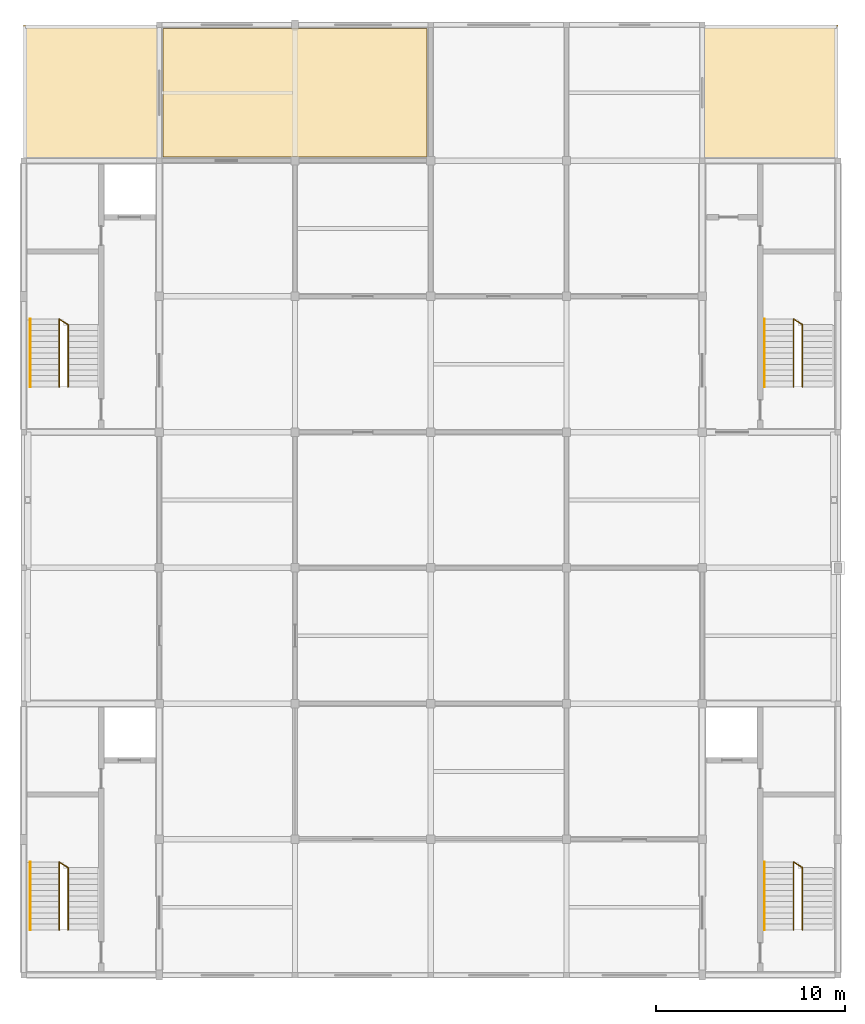
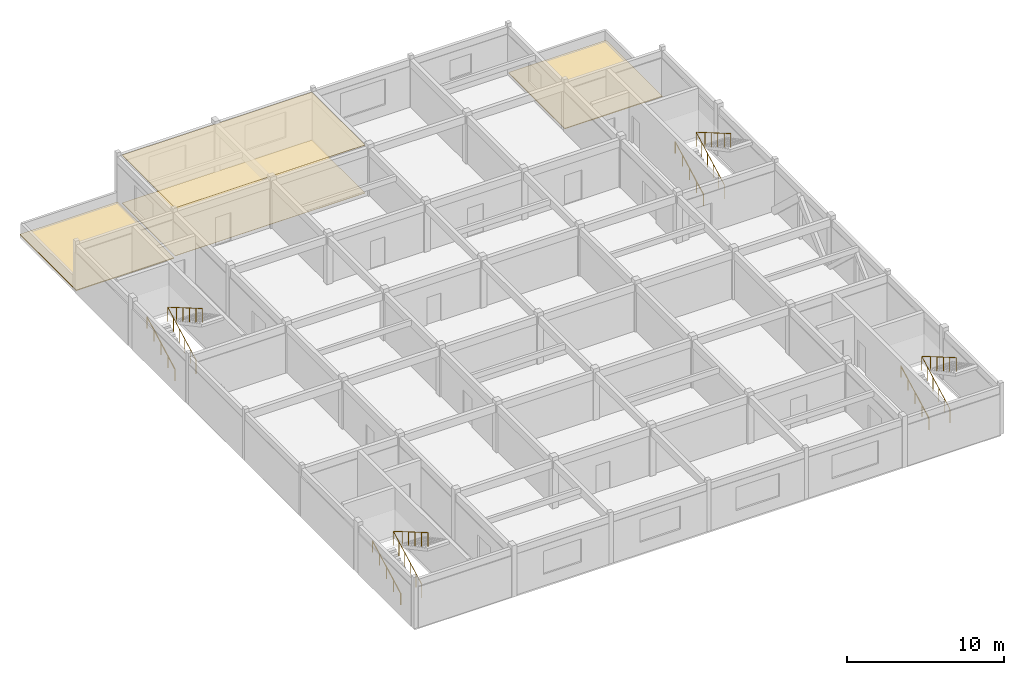
# One storey, part 6 of 6: 8 railings, 4 coverings.
"""IFC4 building model written with IfcOpenShell, lengths in metres."""

from ifc_helpers import new_model, si_unit, direction, frame, origin, origin_2d, place, context, subcontext, project, spatial, polyline, circle, outline, extrude, material, layer, layer_set, type_object, element, save


model = new_model("IFC4")

# Units and contexts
model_context = context("Model", 3, precision=1e-05, world=origin(), true_north=direction((0.0, 1.0)))
body_context = subcontext(model_context, "Body", "Model", "MODEL_VIEW")
ifc_project = project(units=[si_unit("LENGTHUNIT", "METRE"), si_unit("AREAUNIT", "SQUARE_METRE"), si_unit("VOLUMEUNIT", "CUBIC_METRE"), si_unit("PLANEANGLEUNIT", "RADIAN"), si_unit("MASSUNIT", "GRAM", prefix="KILO")], contexts=[model_context])

# Site, building, storey
site_placement = place(None, origin())
site = spatial("IfcSite", under=ifc_project, at=site_placement, CompositionType="ELEMENT")
building_placement = place(site_placement, origin())
building = spatial("IfcBuilding", under=site, at=building_placement, Name="Cendaluz Park School", CompositionType="ELEMENT")
storey_placement = place(building_placement, frame((0.0, 0.0, 59.0)))
storey = spatial("IfcBuildingStorey", under=building, at=storey_placement, Name="L14", CompositionType="ELEMENT", Elevation=59.0)

# Coverings
ifc_material_1 = material(Name="Mineral Fibre Acoustic Tile")
ifc_layer_1 = layer(ifc_material_1, 0.030029296875)
ifc_layer_set_1 = layer_set([ifc_layer_1], Name="Mineral Fibre Acoustic Tile")
covering_type_1 = type_object("IfcCoveringType", Name="CV-CLG01", PredefinedType="CEILING", material=ifc_layer_set_1)
covering_1_placement = place(storey_placement, frame((0.0, 0.0, 3.72998046875)))
element("IfcCovering", 1, at=covering_1_placement, inside=storey, type_object=covering_type_1, Name="CV-CLG-L14-01", PredefinedType="CEILING", context=body_context, shape_type="SweptSolid", body=[
    extrude(outline(polyline([(72.199951171875, 57.800048828125), (86.199951171875, 57.800048828125), (86.199951171875, 64.60009765625), (72.199951171875, 64.60009765625), (72.199951171875, 57.800048828125)])), origin(), (0.0, 0.0, 1.0), 0.030029296875),
])
ifc_material_2 = material(Name="Polished Terrazzo Tile")
ifc_layer_2 = layer(ifc_material_2, 0.02001953125)
ifc_layer_set_2 = layer_set([ifc_layer_2], Name="Polished Terrazzo Tile")
covering_type_2 = type_object("IfcCoveringType", Name="CV-FLR01", PredefinedType="FLOORING", material=ifc_layer_set_2)
covering_2_placement = place(storey_placement, origin())
element("IfcCovering", 2, at=covering_2_placement, inside=storey, type_object=covering_type_2, Name="CV-FLR-L14-01", PredefinedType="FLOORING", context=body_context, shape_type="SweptSolid", body=[
    extrude(outline(polyline([(72.199951171875, 57.800048828125), (86.199951171875, 57.800048828125), (86.199951171875, 64.60009765625), (72.199951171875, 64.60009765625), (72.199951171875, 57.800048828125)])), origin(), (0.0, 0.0, 1.0), 0.02001953125),
])
ifc_material_3 = material(Name="EPDM Roofing Membrane")
ifc_layer_3 = layer(ifc_material_3, 0.06005859375)
ifc_layer_set_3 = layer_set([ifc_layer_3], Name="EPDM Roofing Membrane")
covering_type_3 = type_object("IfcCoveringType", Name="CV-RF01", PredefinedType="ROOFING", material=ifc_layer_set_3)
covering_3_placement = place(storey_placement, origin())
element("IfcCovering", 3, at=covering_3_placement, inside=storey, type_object=covering_type_3, Name="CV-RF-L13-02", PredefinedType="ROOFING", context=body_context, shape_type="SweptSolid", body=[
    extrude(outline(polyline([(64.800048828125, 57.60009765625), (64.800048828125, 64.800048828125), (72.0, 64.800048828125), (72.0, 57.60009765625), (64.800048828125, 57.60009765625)])), origin(), (0.0, 0.0, 1.0), 0.06005859375),
])
covering_4_placement = place(storey_placement, origin())
element("IfcCovering", 4, at=covering_4_placement, inside=storey, type_object=covering_type_3, Name="CV-RF-L13-03", PredefinedType="ROOFING", context=body_context, shape_type="SweptSolid", body=[
    extrude(outline(polyline([(100.800048828125, 57.60009765625), (100.800048828125, 64.800048828125), (108.0, 64.800048828125), (108.0, 57.60009765625), (100.800048828125, 57.60009765625)])), origin(), (0.0, 0.0, 1.0), 0.06005859375),
])

# Railings
ifc_material_4 = material(Name="Wrought Iron")
railing_type_1 = type_object("IfcRailingType", Name="GR-ST01", PredefinedType="BALUSTRADE", material=ifc_material_4)
railing_1_placement = place(storey_placement, frame((66.68994140625, 16.800048828125, 0.159912109375)))
element("IfcRailing", 5, at=railing_1_placement, inside=storey, type_object=railing_type_1, Name="GR-ST-031", PredefinedType="BALUSTRADE", context=body_context, shape_type="SweptSolid", body=[
    extrude(circle(Radius=0.02392578125, at=origin_2d()), frame((0.0, 0.0, 1.076171875), z_axis=(0.0, 0.882328093246, 0.470634822203), x_axis=(-1.0, 0.0, 0.0)), (0.0, 0.0, 1.0), 4.079833984375),
    extrude(circle(Radius=0.02392578125, at=origin_2d()), frame((0.0, 3.599853515625, 2.99609375), z_axis=(0.843065864119, -0.537810327864, 0.0), x_axis=(0.537810327864, 0.843065864119, 0.0)), (0.0, 0.0, 1.0), 0.557373046875),
    extrude(circle(Radius=0.02392578125, at=origin_2d()), frame((0.469970703125, 3.300048828125, 2.99609375), z_axis=(0.0, -0.864360466543, 0.502872731293), x_axis=(1.0, 0.0, 0.0)), (0.0, 0.0, 1.0), 3.81787109375),
    extrude(circle(Radius=0.02099609375, at=origin_2d()), origin(), (0.0, 0.0, 1.0), 1.052001953125),
    extrude(circle(Radius=0.02099609375, at=origin_2d()), frame((0.0, 0.719970703125, 0.384033203125)), (0.0, 0.0, 1.0), 1.052001953125),
    extrude(circle(Radius=0.02099609375, at=origin_2d()), frame((0.0, 1.43994140625, 0.76806640625)), (0.0, 0.0, 1.0), 1.052001953125),
    extrude(circle(Radius=0.02099609375, at=origin_2d()), frame((0.0, 2.159912109375, 1.152099609375)), (0.0, 0.0, 1.0), 1.052001953125),
    extrude(circle(Radius=0.02099609375, at=origin_2d()), frame((0.0, 2.8798828125, 1.5361328125)), (0.0, 0.0, 1.0), 1.052001953125),
    extrude(circle(Radius=0.02099609375, at=origin_2d()), frame((0.0, 3.599853515625, 1.920166015625)), (0.0, 0.0, 1.0), 1.052001953125),
    extrude(circle(Radius=0.02099609375, at=origin_2d()), frame((0.469970703125, 3.300048828125, 1.920166015625)), (0.0, 0.0, 1.0), 1.052001953125),
    extrude(circle(Radius=0.02099609375, at=origin_2d()), frame((0.469970703125, 2.47509765625, 2.400146484375)), (0.0, 0.0, 1.0), 1.052001953125),
    extrude(circle(Radius=0.02099609375, at=origin_2d()), frame((0.469970703125, 1.64990234375, 2.880126953125)), (0.0, 0.0, 1.0), 1.052001953125),
    extrude(circle(Radius=0.02099609375, at=origin_2d()), frame((0.469970703125, 0.824951171875, 3.360107421875)), (0.0, 0.0, 1.0), 1.052001953125),
    extrude(circle(Radius=0.02099609375, at=origin_2d()), frame((0.469970703125, 0.0, 3.840087890625)), (0.0, 0.0, 1.0), 1.052001953125),
])
railing_2_placement = place(storey_placement, frame((105.639892578125, 16.800048828125, 0.159912109375)))
element("IfcRailing", 6, at=railing_2_placement, inside=storey, type_object=railing_type_1, Name="GR-ST-066", PredefinedType="BALUSTRADE", context=body_context, shape_type="SweptSolid", body=[
    extrude(circle(Radius=0.02392578125, at=origin_2d()), frame((0.0, 0.0, 1.076171875), z_axis=(0.0, 0.882328093246, 0.470634822203), x_axis=(-1.0, 0.0, 0.0)), (0.0, 0.0, 1.0), 4.079833984375),
    extrude(circle(Radius=0.02392578125, at=origin_2d()), frame((0.0, 3.599853515625, 2.99609375), z_axis=(0.843192468449, -0.537611812697, 0.0), x_axis=(0.537611812697, 0.843192468449, 0.0)), (0.0, 0.0, 1.0), 0.5576171875),
    extrude(circle(Radius=0.02392578125, at=origin_2d()), frame((0.47021484375, 3.300048828125, 2.99609375), z_axis=(0.0, -0.864360466543, 0.502872731293), x_axis=(1.0, 0.0, 0.0)), (0.0, 0.0, 1.0), 3.81787109375),
    extrude(circle(Radius=0.02099609375, at=origin_2d()), origin(), (0.0, 0.0, 1.0), 1.052001953125),
    extrude(circle(Radius=0.02099609375, at=origin_2d()), frame((0.0, 0.719970703125, 0.384033203125)), (0.0, 0.0, 1.0), 1.052001953125),
    extrude(circle(Radius=0.02099609375, at=origin_2d()), frame((0.0, 1.43994140625, 0.76806640625)), (0.0, 0.0, 1.0), 1.052001953125),
    extrude(circle(Radius=0.02099609375, at=origin_2d()), frame((0.0, 2.159912109375, 1.152099609375)), (0.0, 0.0, 1.0), 1.052001953125),
    extrude(circle(Radius=0.02099609375, at=origin_2d()), frame((0.0, 2.8798828125, 1.5361328125)), (0.0, 0.0, 1.0), 1.052001953125),
    extrude(circle(Radius=0.02099609375, at=origin_2d()), frame((0.0, 3.599853515625, 1.920166015625)), (0.0, 0.0, 1.0), 1.052001953125),
    extrude(circle(Radius=0.02099609375, at=origin_2d()), frame((0.47021484375, 3.300048828125, 1.920166015625)), (0.0, 0.0, 1.0), 1.052001953125),
    extrude(circle(Radius=0.02099609375, at=origin_2d()), frame((0.47021484375, 2.47509765625, 2.400146484375)), (0.0, 0.0, 1.0), 1.052001953125),
    extrude(circle(Radius=0.02099609375, at=origin_2d()), frame((0.47021484375, 1.64990234375, 2.880126953125)), (0.0, 0.0, 1.0), 1.052001953125),
    extrude(circle(Radius=0.02099609375, at=origin_2d()), frame((0.47021484375, 0.824951171875, 3.360107421875)), (0.0, 0.0, 1.0), 1.052001953125),
    extrude(circle(Radius=0.02099609375, at=origin_2d()), frame((0.47021484375, 0.0, 3.840087890625)), (0.0, 0.0, 1.0), 1.052001953125),
])
railing_3_placement = place(storey_placement, frame((66.68994140625, 45.60009765625, 0.159912109375)))
element("IfcRailing", 7, at=railing_3_placement, inside=storey, type_object=railing_type_1, Name="GR-ST-101", PredefinedType="BALUSTRADE", context=body_context, shape_type="SweptSolid", body=[
    extrude(circle(Radius=0.02392578125, at=origin_2d()), frame((0.0, 0.0, 1.076171875), z_axis=(0.0, 0.882328093246, 0.470634822203), x_axis=(-1.0, 0.0, 0.0)), (0.0, 0.0, 1.0), 4.079833984375),
    extrude(circle(Radius=0.02392578125, at=origin_2d()), frame((0.0, 3.599853515625, 2.99609375), z_axis=(0.842867279897, -0.538121499737, 0.0), x_axis=(0.538121499737, 0.842867279897, 0.0)), (0.0, 0.0, 1.0), 0.5576171875),
    extrude(circle(Radius=0.02392578125, at=origin_2d()), frame((0.469970703125, 3.2998046875, 2.99609375), z_axis=(0.0, -0.86434429443, 0.502900527626), x_axis=(1.0, 0.0, 0.0)), (0.0, 0.0, 1.0), 3.817626953125),
    extrude(circle(Radius=0.02099609375, at=origin_2d()), origin(), (0.0, 0.0, 1.0), 1.052001953125),
    extrude(circle(Radius=0.02099609375, at=origin_2d()), frame((0.0, 0.719970703125, 0.384033203125)), (0.0, 0.0, 1.0), 1.052001953125),
    extrude(circle(Radius=0.02099609375, at=origin_2d()), frame((0.0, 1.43994140625, 0.76806640625)), (0.0, 0.0, 1.0), 1.052001953125),
    extrude(circle(Radius=0.02099609375, at=origin_2d()), frame((0.0, 2.159912109375, 1.152099609375)), (0.0, 0.0, 1.0), 1.052001953125),
    extrude(circle(Radius=0.02099609375, at=origin_2d()), frame((0.0, 2.8798828125, 1.5361328125)), (0.0, 0.0, 1.0), 1.052001953125),
    extrude(circle(Radius=0.02099609375, at=origin_2d()), frame((0.0, 3.599853515625, 1.920166015625)), (0.0, 0.0, 1.0), 1.052001953125),
    extrude(circle(Radius=0.02099609375, at=origin_2d()), frame((0.469970703125, 3.2998046875, 1.920166015625)), (0.0, 0.0, 1.0), 1.052001953125),
    extrude(circle(Radius=0.02099609375, at=origin_2d()), frame((0.469970703125, 2.474853515625, 2.400146484375)), (0.0, 0.0, 1.0), 1.052001953125),
    extrude(circle(Radius=0.02099609375, at=origin_2d()), frame((0.469970703125, 1.64990234375, 2.880126953125)), (0.0, 0.0, 1.0), 1.052001953125),
    extrude(circle(Radius=0.02099609375, at=origin_2d()), frame((0.469970703125, 0.824951171875, 3.360107421875)), (0.0, 0.0, 1.0), 1.052001953125),
    extrude(circle(Radius=0.02099609375, at=origin_2d()), frame((0.469970703125, 0.0, 3.840087890625)), (0.0, 0.0, 1.0), 1.052001953125),
])
railing_4_placement = place(storey_placement, frame((105.639892578125, 45.60009765625, 0.159912109375)))
element("IfcRailing", 8, at=railing_4_placement, inside=storey, type_object=railing_type_1, Name="GR-ST-136", PredefinedType="BALUSTRADE", context=body_context, shape_type="SweptSolid", body=[
    extrude(circle(Radius=0.02392578125, at=origin_2d()), frame((0.0, 0.0, 1.076171875), z_axis=(0.0, 0.882328093246, 0.470634822203), x_axis=(-1.0, 0.0, 0.0)), (0.0, 0.0, 1.0), 4.079833984375),
    extrude(circle(Radius=0.02392578125, at=origin_2d()), frame((0.0, 3.599853515625, 2.99609375), z_axis=(0.84299400095, -0.537922963223, 0.0), x_axis=(0.537922963223, 0.84299400095, 0.0)), (0.0, 0.0, 1.0), 0.557861328125),
    extrude(circle(Radius=0.02392578125, at=origin_2d()), frame((0.47021484375, 3.2998046875, 2.99609375), z_axis=(0.0, -0.86434429443, 0.502900527626), x_axis=(1.0, 0.0, 0.0)), (0.0, 0.0, 1.0), 3.817626953125),
    extrude(circle(Radius=0.02099609375, at=origin_2d()), origin(), (0.0, 0.0, 1.0), 1.052001953125),
    extrude(circle(Radius=0.02099609375, at=origin_2d()), frame((0.0, 0.719970703125, 0.384033203125)), (0.0, 0.0, 1.0), 1.052001953125),
    extrude(circle(Radius=0.02099609375, at=origin_2d()), frame((0.0, 1.43994140625, 0.76806640625)), (0.0, 0.0, 1.0), 1.052001953125),
    extrude(circle(Radius=0.02099609375, at=origin_2d()), frame((0.0, 2.159912109375, 1.152099609375)), (0.0, 0.0, 1.0), 1.052001953125),
    extrude(circle(Radius=0.02099609375, at=origin_2d()), frame((0.0, 2.8798828125, 1.5361328125)), (0.0, 0.0, 1.0), 1.052001953125),
    extrude(circle(Radius=0.02099609375, at=origin_2d()), frame((0.0, 3.599853515625, 1.920166015625)), (0.0, 0.0, 1.0), 1.052001953125),
    extrude(circle(Radius=0.02099609375, at=origin_2d()), frame((0.47021484375, 3.2998046875, 1.920166015625)), (0.0, 0.0, 1.0), 1.052001953125),
    extrude(circle(Radius=0.02099609375, at=origin_2d()), frame((0.47021484375, 2.474853515625, 2.400146484375)), (0.0, 0.0, 1.0), 1.052001953125),
    extrude(circle(Radius=0.02099609375, at=origin_2d()), frame((0.47021484375, 1.64990234375, 2.880126953125)), (0.0, 0.0, 1.0), 1.052001953125),
    extrude(circle(Radius=0.02099609375, at=origin_2d()), frame((0.47021484375, 0.824951171875, 3.360107421875)), (0.0, 0.0, 1.0), 1.052001953125),
    extrude(circle(Radius=0.02099609375, at=origin_2d()), frame((0.47021484375, 0.0, 3.840087890625)), (0.0, 0.0, 1.0), 1.052001953125),
])
ifc_material_5 = material(Name="Architectural Bronze")
railing_type_2 = type_object("IfcRailingType", Name="HR-ST01", PredefinedType="HANDRAIL", material=ifc_material_5)
for number, where, name in (
    (9, (65.14990234375, 16.800048828125, 0.159912109375), "HR-ST-032"),
    (10, (104.10009765625, 16.800048828125, 0.159912109375), "HR-ST-067"),
    (11, (65.14990234375, 45.60009765625, 0.159912109375), "HR-ST-102"),
    (12, (104.10009765625, 45.60009765625, 0.159912109375), "HR-ST-137"),
):
    element("IfcRailing", number, at=place(storey_placement, frame(where)), inside=storey, type_object=railing_type_2, Name=name, PredefinedType="HANDRAIL", context=body_context, shape_type="SweptSolid", body=[
        extrude(circle(Radius=0.02392578125, at=origin_2d()), frame((0.0, 0.0, 0.8759765625), z_axis=(0.0, 0.882328093246, 0.470634822203), x_axis=(-1.0, 0.0, 0.0)), (0.0, 0.0, 1.0), 4.079833984375),
        extrude(circle(Radius=0.02099609375, at=origin_2d()), origin(), (0.0, 0.0, 1.0), 0.851806640625),
        extrude(circle(Radius=0.02099609375, at=origin_2d()), frame((0.0, 0.89990234375, 0.47998046875)), (0.0, 0.0, 1.0), 0.851806640625),
        extrude(circle(Radius=0.02099609375, at=origin_2d()), frame((0.0, 1.7998046875, 0.9599609375)), (0.0, 0.0, 1.0), 0.851806640625),
        extrude(circle(Radius=0.02099609375, at=origin_2d()), frame((0.0, 2.699951171875, 1.440185546875)), (0.0, 0.0, 1.0), 0.851806640625),
        extrude(circle(Radius=0.02099609375, at=origin_2d()), frame((0.0, 3.599853515625, 1.920166015625)), (0.0, 0.0, 1.0), 0.851806640625),
    ])

save(model, "model.ifc")
